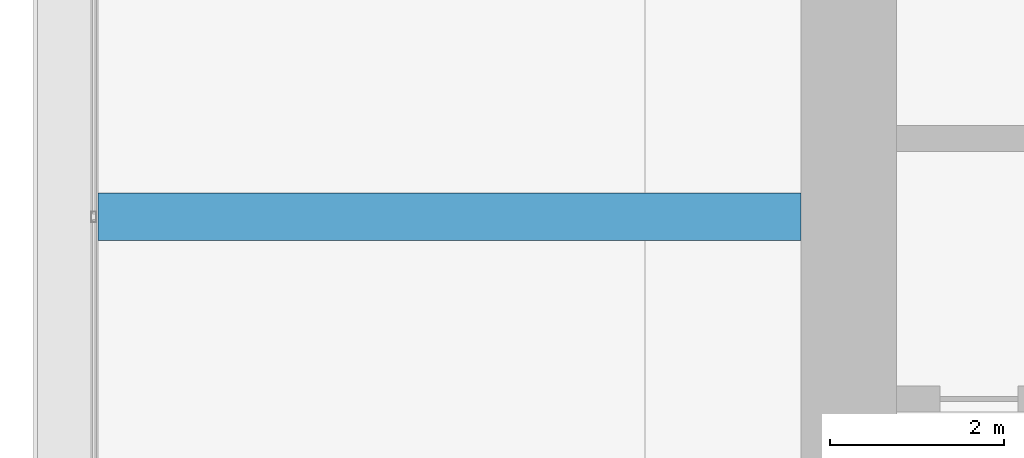
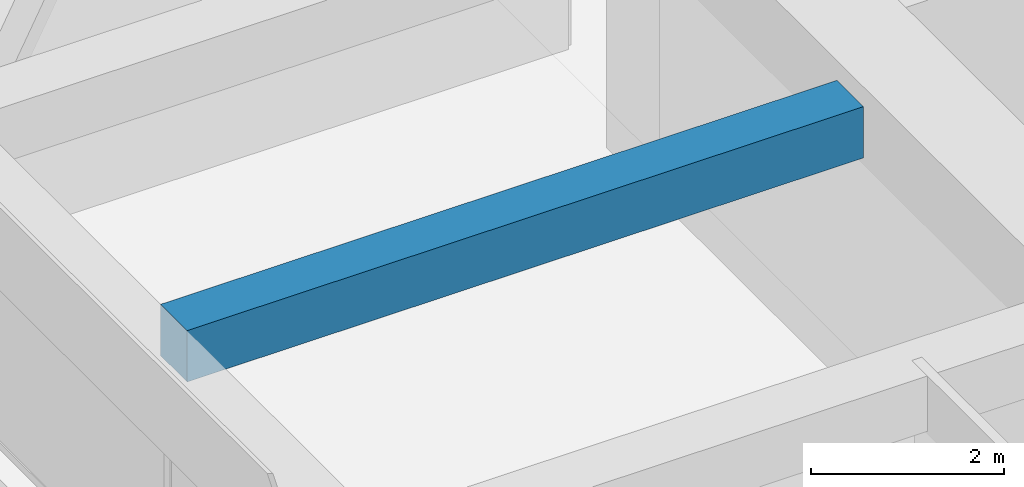
# One storey, part 17 of 44: 1 beam.
"""IFC4 building model written with IfcOpenShell, lengths in metres."""

from ifc_helpers import new_model, si_unit, direction, frame, origin, origin_2d, place, context, subcontext, project, spatial, rectangle, extrude, material, material_profile, profile_set, type_object, element, save


model = new_model("IFC4")

# Units and contexts
model_context = context("Model", 3, precision=1e-05, world=origin(), true_north=direction((0.0, 1.0)))
body_context = subcontext(model_context, "Body", "Model", "MODEL_VIEW")
ifc_project = project(units=[si_unit("LENGTHUNIT", "METRE"), si_unit("AREAUNIT", "SQUARE_METRE"), si_unit("VOLUMEUNIT", "CUBIC_METRE"), si_unit("PLANEANGLEUNIT", "RADIAN"), si_unit("MASSUNIT", "GRAM", prefix="KILO")], contexts=[model_context])

# Site, building, storey
site_placement = place(None, origin())
site = spatial("IfcSite", under=ifc_project, at=site_placement, CompositionType="ELEMENT")
building_placement = place(site_placement, origin())
building = spatial("IfcBuilding", under=site, at=building_placement, Name="Zorevar Civic Tower", CompositionType="ELEMENT")
storey_placement = place(building_placement, frame((0.0, 0.0, 263.39990234375)))
storey = spatial("IfcBuildingStorey", under=building, at=storey_placement, Name="L64", CompositionType="ELEMENT", Elevation=263.39990234375)

# Beam
ifc_material = material(Name="Concrete C50/60", Category="concrete")
ifc_material_profile = material_profile(ifc_material, rectangle(XDim=0.550048828125, YDim=0.64990234375, at=origin_2d()), Name="RC 550x650")
ifc_profile_set = profile_set([ifc_material_profile], Name="Concrete C50/60")
beam_type = type_object("IfcBeamType", Name="Beam RC 550x650", PredefinedType="BEAM", material=ifc_profile_set)
beam_placement = place(storey_placement, frame((9.35009765625, 31.5, 3.425048828125), z_axis=(1.0, 0.0, 0.0), x_axis=(0.0, 1.0, 0.0)))
element("IfcBeam", 1, at=beam_placement, inside=storey, type_object=beam_type, Name="Secondary beam L65", PredefinedType="BEAM", context=body_context, shape_type="SweptSolid", body=[
    extrude(rectangle(XDim=0.550048828125, YDim=0.64990234375, at=origin_2d()), origin(), (0.0, 0.0, 1.0), 8.099853515625),
])

save(model, "model.ifc")
